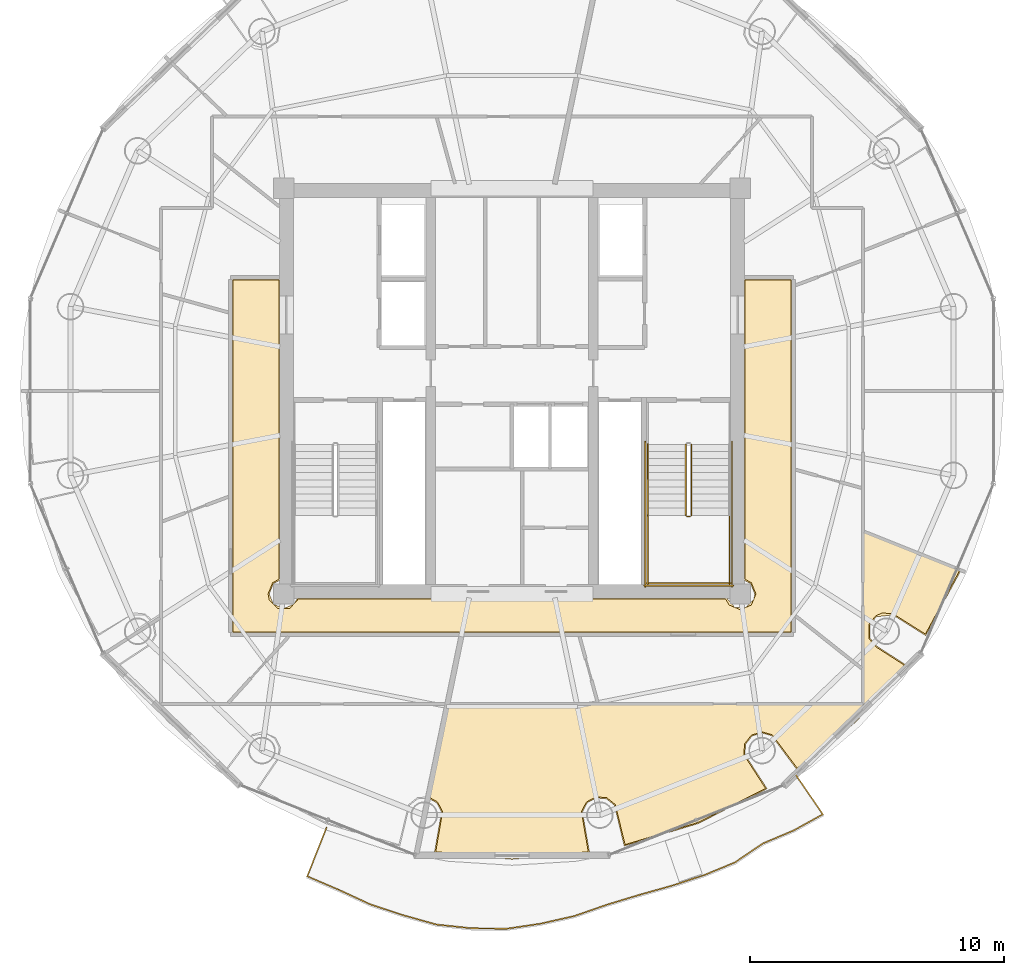
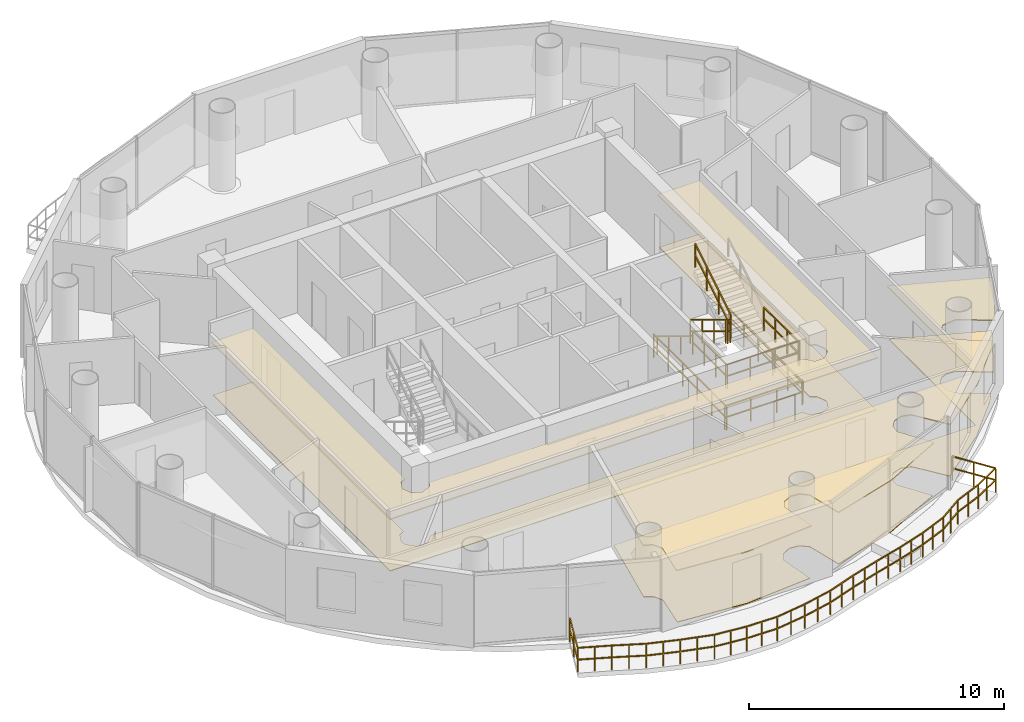
# One storey, part 19 of 21: 11 railings, 4 coverings.
"""IFC4 building model written with IfcOpenShell, lengths in metres."""

from ifc_helpers import new_model, si_unit, direction, frame, origin, origin_2d, place, context, subcontext, project, spatial, polyline, rectangle, outline, extrude, material, layer, layer_set, type_object, element, save


model = new_model("IFC4")

# Units and contexts
model_context = context("Model", 3, precision=1e-05, world=origin(), true_north=direction((-0.2419218956, 0.970295726276)))
body_context = subcontext(model_context, "Body", "Model", "MODEL_VIEW")
ifc_project = project(units=[si_unit("LENGTHUNIT", "METRE"), si_unit("AREAUNIT", "SQUARE_METRE"), si_unit("VOLUMEUNIT", "CUBIC_METRE"), si_unit("PLANEANGLEUNIT", "RADIAN"), si_unit("MASSUNIT", "GRAM", prefix="KILO")], contexts=[model_context])

# Site, building, storey
site_placement = place(None, origin())
site = spatial("IfcSite", under=ifc_project, at=site_placement, CompositionType="ELEMENT")
building_placement = place(site_placement, origin())
building = spatial("IfcBuilding", under=site, at=building_placement, Name="Cobrevalo Terracotta Tower", CompositionType="ELEMENT")
storey_placement = place(building_placement, frame((0.0, 0.0, 285.699951171875)))
storey = spatial("IfcBuildingStorey", under=building, at=storey_placement, Name="L75", CompositionType="ELEMENT", Elevation=285.699951171875)

# Railing
ifc_material_1 = material(Name="Laminated structural glass and stainless steel", Category="steel")
railing_type_1 = type_object("IfcRailingType", Name="Balcony lobe structural glass & terracotta-cap balustrade 1180 mm", PredefinedType="BALUSTRADE", material=ifc_material_1)
railing_1_placement = place(storey_placement, frame((30.68359375, 9.58251953125, 0.0)))
element("IfcRailing", 1, at=railing_1_placement, inside=storey, type_object=railing_type_1, Name="L75 spiralling balcony lobe balustrade 2", PredefinedType="BALUSTRADE", context=body_context, shape_type="SweptSolid", body=[
    extrude(rectangle(XDim=0.048095703125, YDim=0.048095703125, at=origin_2d()), frame((0.0, 0.0, 1.15576171875), z_axis=(-0.367422883807, -0.930053990075, 0.0), x_axis=(0.930053990075, -0.367422883807, 0.0)), (0.0, 0.0, 1.0), 2.059814453125),
    extrude(rectangle(XDim=0.048095703125, YDim=0.048095703125, at=origin_2d()), frame((0.0, 0.0, 0.58984375), z_axis=(-0.367422883807, -0.930053990075, 0.0), x_axis=(0.930053990075, -0.367422883807, 0.0)), (0.0, 0.0, 1.0), 2.059814453125),
    extrude(rectangle(XDim=0.048095703125, YDim=0.048095703125, at=origin_2d()), frame((-0.7568359375, -1.915771484375, 1.15576171875), z_axis=(0.919173243354, -0.39385346095, 0.0), x_axis=(0.39385346095, 0.919173243354, 0.0)), (0.0, 0.0, 1.0), 1.3427734375),
    extrude(rectangle(XDim=0.048095703125, YDim=0.048095703125, at=origin_2d()), frame((-0.7568359375, -1.915771484375, 0.58984375), z_axis=(0.919173243354, -0.39385346095, 0.0), x_axis=(0.39385346095, 0.919173243354, 0.0)), (0.0, 0.0, 1.0), 1.3427734375),
    extrude(rectangle(XDim=0.048095703125, YDim=0.048095703125, at=origin_2d()), frame((0.477294921875, -2.444580078125, 1.15576171875), z_axis=(0.907760069926, -0.419489756071, 0.0), x_axis=(0.419489756071, 0.907760069926, 0.0)), (0.0, 0.0, 1.0), 1.363037109375),
    extrude(rectangle(XDim=0.048095703125, YDim=0.048095703125, at=origin_2d()), frame((0.477294921875, -2.444580078125, 0.58984375), z_axis=(0.907760069926, -0.419489756071, 0.0), x_axis=(0.419489756071, 0.907760069926, 0.0)), (0.0, 0.0, 1.0), 1.363037109375),
    extrude(rectangle(XDim=0.048095703125, YDim=0.048095703125, at=origin_2d()), frame((1.714599609375, -3.016357421875, 1.15576171875), z_axis=(0.949377492889, -0.314137511285, 0.0), x_axis=(0.314137511285, 0.949377492889, 0.0)), (0.0, 0.0, 1.0), 1.366943359375),
    extrude(rectangle(XDim=0.048095703125, YDim=0.048095703125, at=origin_2d()), frame((1.714599609375, -3.016357421875, 0.58984375), z_axis=(0.949377492889, -0.314137511285, 0.0), x_axis=(0.314137511285, 0.949377492889, 0.0)), (0.0, 0.0, 1.0), 1.366943359375),
    extrude(rectangle(XDim=0.048095703125, YDim=0.048095703125, at=origin_2d()), frame((3.012451171875, -3.44580078125, 1.15576171875), z_axis=(0.962619191282, -0.270858436413, 0.0), x_axis=(0.270858436413, 0.962619191282, 0.0)), (0.0, 0.0, 1.0), 1.378173828125),
    extrude(rectangle(XDim=0.048095703125, YDim=0.048095703125, at=origin_2d()), frame((3.012451171875, -3.44580078125, 0.58984375), z_axis=(0.962619191282, -0.270858436413, 0.0), x_axis=(0.270858436413, 0.962619191282, 0.0)), (0.0, 0.0, 1.0), 1.378173828125),
    extrude(rectangle(XDim=0.048095703125, YDim=0.048095703125, at=origin_2d()), frame((4.339111328125, -3.819091796875, 1.15576171875), z_axis=(0.99444006684, -0.105304099935, 0.0), x_axis=(0.105304099935, 0.99444006684, 0.0)), (0.0, 0.0, 1.0), 1.374755859375),
    extrude(rectangle(XDim=0.048095703125, YDim=0.048095703125, at=origin_2d()), frame((4.339111328125, -3.819091796875, 0.58984375), z_axis=(0.99444006684, -0.105304099935, 0.0), x_axis=(0.105304099935, 0.99444006684, 0.0)), (0.0, 0.0, 1.0), 1.374755859375),
    extrude(rectangle(XDim=0.048095703125, YDim=0.048095703125, at=origin_2d()), frame((5.706298828125, -3.9638671875, 1.15576171875), z_axis=(0.999848698205, -0.017394846871, 0.0), x_axis=(0.017394846871, 0.999848698205, 0.0)), (0.0, 0.0, 1.0), 1.37548828125),
    extrude(rectangle(XDim=0.048095703125, YDim=0.048095703125, at=origin_2d()), frame((5.706298828125, -3.9638671875, 0.58984375), z_axis=(0.999848698205, -0.017394846871, 0.0), x_axis=(0.017394846871, 0.999848698205, 0.0)), (0.0, 0.0, 1.0), 1.37548828125),
    extrude(rectangle(XDim=0.048095703125, YDim=0.048095703125, at=origin_2d()), frame((7.08154296875, -3.98779296875, 1.15576171875), z_axis=(0.989007677475, 0.147864173803, 0.0), x_axis=(-0.147864173803, 0.989007677475, 0.0)), (0.0, 0.0, 1.0), 1.378662109375),
    extrude(rectangle(XDim=0.048095703125, YDim=0.048095703125, at=origin_2d()), frame((7.08154296875, -3.98779296875, 0.58984375), z_axis=(0.989007677475, 0.147864173803, 0.0), x_axis=(-0.147864173803, 0.989007677475, 0.0)), (0.0, 0.0, 1.0), 1.378662109375),
    extrude(rectangle(XDim=0.048095703125, YDim=0.048095703125, at=origin_2d()), frame((8.445068359375, -3.783935546875, 1.15576171875), z_axis=(0.975218456902, 0.221244121542, 0.0), x_axis=(-0.221244121542, 0.975218456902, 0.0)), (0.0, 0.0, 1.0), 1.37158203125),
    extrude(rectangle(XDim=0.048095703125, YDim=0.048095703125, at=origin_2d()), frame((8.445068359375, -3.783935546875, 0.58984375), z_axis=(0.975218456902, 0.221244121542, 0.0), x_axis=(-0.221244121542, 0.975218456902, 0.0)), (0.0, 0.0, 1.0), 1.37158203125),
    extrude(rectangle(XDim=0.048095703125, YDim=0.048095703125, at=origin_2d()), frame((9.78271484375, -3.48046875, 1.15576171875), z_axis=(0.944475100571, 0.328582994693, 0.0), x_axis=(-0.328582994693, 0.944475100571, 0.0)), (0.0, 0.0, 1.0), 1.366455078125),
    extrude(rectangle(XDim=0.048095703125, YDim=0.048095703125, at=origin_2d()), frame((9.78271484375, -3.48046875, 0.58984375), z_axis=(0.944475100571, 0.328582994693, 0.0), x_axis=(-0.328582994693, 0.944475100571, 0.0)), (0.0, 0.0, 1.0), 1.366455078125),
    extrude(rectangle(XDim=0.048095703125, YDim=0.048095703125, at=origin_2d()), frame((11.0732421875, -3.031494140625, 1.15576171875), z_axis=(0.95686607344, 0.290529374588, 0.0), x_axis=(-0.290529374588, 0.95686607344, 0.0)), (0.0, 0.0, 1.0), 1.3369140625),
    extrude(rectangle(XDim=0.048095703125, YDim=0.048095703125, at=origin_2d()), frame((11.0732421875, -3.031494140625, 0.58984375), z_axis=(0.95686607344, 0.290529374588, 0.0), x_axis=(-0.290529374588, 0.95686607344, 0.0)), (0.0, 0.0, 1.0), 1.3369140625),
    extrude(rectangle(XDim=0.048095703125, YDim=0.048095703125, at=origin_2d()), frame((12.3525390625, -2.64306640625, 1.15576171875), z_axis=(0.96277406986, 0.270307399836, 0.0), x_axis=(-0.270307399836, 0.96277406986, 0.0)), (0.0, 0.0, 1.0), 1.3232421875),
    extrude(rectangle(XDim=0.048095703125, YDim=0.048095703125, at=origin_2d()), frame((12.3525390625, -2.64306640625, 0.58984375), z_axis=(0.96277406986, 0.270307399836, 0.0), x_axis=(-0.270307399836, 0.96277406986, 0.0)), (0.0, 0.0, 1.0), 1.3232421875),
    extrude(rectangle(XDim=0.048095703125, YDim=0.048095703125, at=origin_2d()), frame((13.62646484375, -2.285400390625, 1.15576171875), z_axis=(0.950256370899, 0.311468825993, 0.0), x_axis=(-0.311468825993, 0.950256370899, 0.0)), (0.0, 0.0, 1.0), 1.32470703125),
    extrude(rectangle(XDim=0.048095703125, YDim=0.048095703125, at=origin_2d()), frame((13.62646484375, -2.285400390625, 0.58984375), z_axis=(0.950256370899, 0.311468825993, 0.0), x_axis=(-0.311468825993, 0.950256370899, 0.0)), (0.0, 0.0, 1.0), 1.32470703125),
    extrude(rectangle(XDim=0.048095703125, YDim=0.048095703125, at=origin_2d()), frame((14.88525390625, -1.872802734375, 1.15576171875), z_axis=(0.92437910862, 0.38147511524, 0.0), x_axis=(-0.38147511524, 0.92437910862, 0.0)), (0.0, 0.0, 1.0), 1.3203125),
    extrude(rectangle(XDim=0.048095703125, YDim=0.048095703125, at=origin_2d()), frame((14.88525390625, -1.872802734375, 0.58984375), z_axis=(0.92437910862, 0.38147511524, 0.0), x_axis=(-0.38147511524, 0.92437910862, 0.0)), (0.0, 0.0, 1.0), 1.3203125),
    extrude(rectangle(XDim=0.048095703125, YDim=0.048095703125, at=origin_2d()), frame((16.105712890625, -1.369140625, 1.15576171875), z_axis=(0.827247273799, 0.561838008675, 0.0), x_axis=(-0.561838008675, 0.827247273799, 0.0)), (0.0, 0.0, 1.0), 1.330078125),
    extrude(rectangle(XDim=0.048095703125, YDim=0.048095703125, at=origin_2d()), frame((16.105712890625, -1.369140625, 0.58984375), z_axis=(0.827247273799, 0.561838008675, 0.0), x_axis=(-0.561838008675, 0.827247273799, 0.0)), (0.0, 0.0, 1.0), 1.330078125),
    extrude(rectangle(XDim=0.048095703125, YDim=0.048095703125, at=origin_2d()), frame((17.2060546875, -0.621826171875, 1.15576171875), z_axis=(0.921478248094, 0.388429965746, 0.0), x_axis=(-0.388429965746, 0.921478248094, 0.0)), (0.0, 0.0, 1.0), 1.31689453125),
    extrude(rectangle(XDim=0.048095703125, YDim=0.048095703125, at=origin_2d()), frame((17.2060546875, -0.621826171875, 0.58984375), z_axis=(0.921478248094, 0.388429965746, 0.0), x_axis=(-0.388429965746, 0.921478248094, 0.0)), (0.0, 0.0, 1.0), 1.31689453125),
    extrude(rectangle(XDim=0.048095703125, YDim=0.048095703125, at=origin_2d()), frame((18.41943359375, -0.1103515625, 1.15576171875), z_axis=(0.875159072129, 0.483835300976, 0.0), x_axis=(-0.483835300976, 0.875159072129, 0.0)), (0.0, 0.0, 1.0), 1.319580078125),
    extrude(rectangle(XDim=0.048095703125, YDim=0.048095703125, at=origin_2d()), frame((18.41943359375, -0.1103515625, 0.58984375), z_axis=(0.875159072129, 0.483835300976, 0.0), x_axis=(-0.483835300976, 0.875159072129, 0.0)), (0.0, 0.0, 1.0), 1.319580078125),
    extrude(rectangle(XDim=0.048095703125, YDim=0.048095703125, at=origin_2d()), frame((19.57421875, 0.528076171875, 1.15576171875), z_axis=(-0.566320663632, 0.824184994976, 0.0), x_axis=(-0.824184994976, -0.566320663632, 0.0)), (0.0, 0.0, 1.0), 1.8916015625),
    extrude(rectangle(XDim=0.048095703125, YDim=0.048095703125, at=origin_2d()), frame((19.57421875, 0.528076171875, 0.58984375), z_axis=(-0.566320663632, 0.824184994976, 0.0), x_axis=(-0.824184994976, -0.566320663632, 0.0)), (0.0, 0.0, 1.0), 1.8916015625),
    extrude(rectangle(XDim=0.0419921875, YDim=0.0419921875, at=origin_2d()), origin(), (0.0, 0.0, 1.0), 1.1318359375),
    extrude(rectangle(XDim=0.0419921875, YDim=0.0419921875, at=origin_2d()), frame((-0.37841796875, -0.9580078125, 0.0)), (0.0, 0.0, 1.0), 1.1318359375),
    extrude(rectangle(XDim=0.0419921875, YDim=0.0419921875, at=origin_2d()), frame((-0.7568359375, -1.915771484375, 0.0)), (0.0, 0.0, 1.0), 1.1318359375),
    extrude(rectangle(XDim=0.0419921875, YDim=0.0419921875, at=origin_2d()), frame((-0.1396484375, -2.18017578125, 0.0)), (0.0, 0.0, 1.0), 1.1318359375),
    extrude(rectangle(XDim=0.0419921875, YDim=0.0419921875, at=origin_2d()), frame((0.477294921875, -2.444580078125, 0.0)), (0.0, 0.0, 1.0), 1.1318359375),
    extrude(rectangle(XDim=0.0419921875, YDim=0.0419921875, at=origin_2d()), frame((1.095947265625, -2.73046875, 0.0)), (0.0, 0.0, 1.0), 1.1318359375),
    extrude(rectangle(XDim=0.0419921875, YDim=0.0419921875, at=origin_2d()), frame((1.714599609375, -3.016357421875, 0.0)), (0.0, 0.0, 1.0), 1.1318359375),
    extrude(rectangle(XDim=0.0419921875, YDim=0.0419921875, at=origin_2d()), frame((2.363525390625, -3.23095703125, 0.0)), (0.0, 0.0, 1.0), 1.1318359375),
    extrude(rectangle(XDim=0.0419921875, YDim=0.0419921875, at=origin_2d()), frame((3.012451171875, -3.44580078125, 0.0)), (0.0, 0.0, 1.0), 1.1318359375),
    extrude(rectangle(XDim=0.0419921875, YDim=0.0419921875, at=origin_2d()), frame((3.67578125, -3.63232421875, 0.0)), (0.0, 0.0, 1.0), 1.1318359375),
    extrude(rectangle(XDim=0.0419921875, YDim=0.0419921875, at=origin_2d()), frame((4.339111328125, -3.819091796875, 0.0)), (0.0, 0.0, 1.0), 1.1318359375),
    extrude(rectangle(XDim=0.0419921875, YDim=0.0419921875, at=origin_2d()), frame((5.022705078125, -3.8916015625, 0.0)), (0.0, 0.0, 1.0), 1.1318359375),
    extrude(rectangle(XDim=0.0419921875, YDim=0.0419921875, at=origin_2d()), frame((5.706298828125, -3.9638671875, 0.0)), (0.0, 0.0, 1.0), 1.1318359375),
    extrude(rectangle(XDim=0.0419921875, YDim=0.0419921875, at=origin_2d()), frame((6.39404296875, -3.975830078125, 0.0)), (0.0, 0.0, 1.0), 1.1318359375),
    extrude(rectangle(XDim=0.0419921875, YDim=0.0419921875, at=origin_2d()), frame((7.08154296875, -3.98779296875, 0.0)), (0.0, 0.0, 1.0), 1.1318359375),
    extrude(rectangle(XDim=0.0419921875, YDim=0.0419921875, at=origin_2d()), frame((7.76318359375, -3.8857421875, 0.0)), (0.0, 0.0, 1.0), 1.1318359375),
    extrude(rectangle(XDim=0.0419921875, YDim=0.0419921875, at=origin_2d()), frame((8.445068359375, -3.783935546875, 0.0)), (0.0, 0.0, 1.0), 1.1318359375),
    extrude(rectangle(XDim=0.0419921875, YDim=0.0419921875, at=origin_2d()), frame((9.11376953125, -3.63232421875, 0.0)), (0.0, 0.0, 1.0), 1.1318359375),
    extrude(rectangle(XDim=0.0419921875, YDim=0.0419921875, at=origin_2d()), frame((9.78271484375, -3.48046875, 0.0)), (0.0, 0.0, 1.0), 1.1318359375),
    extrude(rectangle(XDim=0.0419921875, YDim=0.0419921875, at=origin_2d()), frame((10.427978515625, -3.255859375, 0.0)), (0.0, 0.0, 1.0), 1.1318359375),
    extrude(rectangle(XDim=0.0419921875, YDim=0.0419921875, at=origin_2d()), frame((11.0732421875, -3.031494140625, 0.0)), (0.0, 0.0, 1.0), 1.1318359375),
    extrude(rectangle(XDim=0.0419921875, YDim=0.0419921875, at=origin_2d()), frame((11.712890625, -2.83740234375, 0.0)), (0.0, 0.0, 1.0), 1.1318359375),
    extrude(rectangle(XDim=0.0419921875, YDim=0.0419921875, at=origin_2d()), frame((12.3525390625, -2.64306640625, 0.0)), (0.0, 0.0, 1.0), 1.1318359375),
    extrude(rectangle(XDim=0.0419921875, YDim=0.0419921875, at=origin_2d()), frame((12.989501953125, -2.46435546875, 0.0)), (0.0, 0.0, 1.0), 1.1318359375),
    extrude(rectangle(XDim=0.0419921875, YDim=0.0419921875, at=origin_2d()), frame((13.62646484375, -2.285400390625, 0.0)), (0.0, 0.0, 1.0), 1.1318359375),
    extrude(rectangle(XDim=0.0419921875, YDim=0.0419921875, at=origin_2d()), frame((14.255859375, -2.0791015625, 0.0)), (0.0, 0.0, 1.0), 1.1318359375),
    extrude(rectangle(XDim=0.0419921875, YDim=0.0419921875, at=origin_2d()), frame((14.88525390625, -1.872802734375, 0.0)), (0.0, 0.0, 1.0), 1.1318359375),
    extrude(rectangle(XDim=0.0419921875, YDim=0.0419921875, at=origin_2d()), frame((15.49560546875, -1.62109375, 0.0)), (0.0, 0.0, 1.0), 1.1318359375),
    extrude(rectangle(XDim=0.0419921875, YDim=0.0419921875, at=origin_2d()), frame((16.105712890625, -1.369140625, 0.0)), (0.0, 0.0, 1.0), 1.1318359375),
    extrude(rectangle(XDim=0.0419921875, YDim=0.0419921875, at=origin_2d()), frame((16.65576171875, -0.99560546875, 0.0)), (0.0, 0.0, 1.0), 1.1318359375),
    extrude(rectangle(XDim=0.0419921875, YDim=0.0419921875, at=origin_2d()), frame((17.2060546875, -0.621826171875, 0.0)), (0.0, 0.0, 1.0), 1.1318359375),
    extrude(rectangle(XDim=0.0419921875, YDim=0.0419921875, at=origin_2d()), frame((17.812744140625, -0.3662109375, 0.0)), (0.0, 0.0, 1.0), 1.1318359375),
    extrude(rectangle(XDim=0.0419921875, YDim=0.0419921875, at=origin_2d()), frame((18.41943359375, -0.1103515625, 0.0)), (0.0, 0.0, 1.0), 1.1318359375),
    extrude(rectangle(XDim=0.0419921875, YDim=0.0419921875, at=origin_2d()), frame((18.996826171875, 0.208984375, 0.0)), (0.0, 0.0, 1.0), 1.1318359375),
    extrude(rectangle(XDim=0.0419921875, YDim=0.0419921875, at=origin_2d()), frame((19.57421875, 0.528076171875, 0.0)), (0.0, 0.0, 1.0), 1.1318359375),
    extrude(rectangle(XDim=0.0419921875, YDim=0.0419921875, at=origin_2d()), frame((19.03857421875, 1.3076171875, 0.0)), (0.0, 0.0, 1.0), 1.1318359375),
    extrude(rectangle(XDim=0.0419921875, YDim=0.0419921875, at=origin_2d()), frame((18.5029296875, 2.087158203125, 0.0)), (0.0, 0.0, 1.0), 1.1318359375),
])

# Coverings
ifc_material_2 = material(Name="Engineered Brazilian hardwood flooring", Category="wood")
ifc_layer_1 = layer(ifc_material_2, 0.028076171875)
ifc_layer_set_1 = layer_set([ifc_layer_1], Name="Engineered Brazilian hardwood flooring")
covering_type_1 = type_object("IfcCoveringType", Name="Engineered Hardwood Suite Flooring 28", PredefinedType="FLOORING", material=ifc_layer_set_1)
covering_1_placement = place(storey_placement, origin())
element("IfcCovering", 2, at=covering_1_placement, inside=storey, type_object=covering_type_1, Name="Flat L75B Penthouse Living and Dining Room floor finish", PredefinedType="FLOORING", context=body_context, shape_type="SweptSolid", body=[
    extrude(outline(polyline([(54.300048828125, 17.217529296875), (53.029052734375, 18.016357421875), (52.600830078125, 18.050537109375), (52.336181640625, 17.935302734375), (52.06982421875, 17.59814453125), (52.080078125, 17.03173828125), (52.358154296875, 16.705322265625), (53.4560546875, 16.00048828125), (53.169189453125, 15.5869140625), (51.52001953125, 13.775390625), (49.243896484375, 11.931884765625), (48.260986328125, 13.246337890625), (47.847412109375, 13.363525390625), (47.438720703125, 13.23095703125), (47.17236328125, 12.893798828125), (47.138427734375, 12.465576171875), (47.99853515625, 11.130126953125), (45.317138671875, 9.7822265625), (42.45947265625, 8.9140625), (42.074951171875, 10.49365234375), (41.74072265625, 10.763671875), (41.312744140625, 10.80224609375), (40.935546875, 10.596923828125), (40.73583984375, 10.21630859375), (41.005859375, 8.635498046875), (38.0, 8.380126953125), (34.994140625, 8.635498046875), (35.26416015625, 10.21630859375), (35.064453125, 10.596923828125), (34.71728515625, 10.79296875), (35.470947265625, 14.445068359375), (51.85498046875, 14.445068359375), (51.85498046875, 21.24658203125), (55.65380859375, 19.72998046875), (54.300048828125, 17.217529296875)])), origin(), (0.0, 0.0, 1.0), 0.030029296875),
])
ifc_material_3 = material(Name="Honed terracotta and granite tile", Category="masonry")
ifc_layer_2 = layer(ifc_material_3, 0.034912109375)
ifc_layer_set_2 = layer_set([ifc_layer_2], Name="Honed terracotta and granite tile")
covering_type_2 = type_object("IfcCoveringType", Name="Honed Terracotta & Granite Interior Flooring 35", PredefinedType="FLOORING", material=ifc_layer_set_2)
covering_2_placement = place(storey_placement, origin())
element("IfcCovering", 3, at=covering_2_placement, inside=storey, type_object=covering_type_2, Name="L75 Residential Floor Corridor floor finish", PredefinedType="FLOORING", context=body_context, shape_type="SweptSolid", body=[
    extrude(outline(polyline([(26.9951171875, 31.179931640625), (28.804931640625, 31.179931640625), (28.804931640625, 19.381591796875), (28.561279296875, 19.23876953125), (28.379638671875, 18.800048828125), (28.4267578125, 18.5625), (28.7626953125, 18.226806640625), (29.2373046875, 18.226806640625), (29.58154296875, 18.60498046875), (46.41845703125, 18.60498046875), (46.561279296875, 18.361328125), (47.0, 18.1796875), (47.438720703125, 18.361328125), (47.620361328125, 18.800048828125), (47.438720703125, 19.23876953125), (47.195068359375, 19.381591796875), (47.195068359375, 31.179931640625), (49.0048828125, 31.179931640625), (49.0048828125, 17.294921875), (26.9951171875, 17.294921875), (26.9951171875, 31.179931640625)])), origin(), (0.0, 0.0, 1.0), 0.030029296875),
])
ifc_material_4 = material(Name="Acoustic perforated gypsum ceiling", Category="gypsum")
ifc_layer_3 = layer(ifc_material_4, 0.050048828125)
ifc_layer_set_3 = layer_set([ifc_layer_3], Name="Acoustic perforated gypsum ceiling")
covering_type_3 = type_object("IfcCoveringType", Name="Perforated Acoustic Gypsum Ceiling 50", PredefinedType="CEILING", material=ifc_layer_set_3)
covering_3_placement = place(storey_placement, frame((0.0, 0.0, 2.5)))
element("IfcCovering", 4, at=covering_3_placement, inside=storey, type_object=covering_type_3, Name="L75 Residential Floor Corridor acoustic ceiling", PredefinedType="CEILING", context=body_context, shape_type="SweptSolid", body=[
    extrude(outline(polyline([(26.949951171875, 31.22509765625), (28.85009765625, 31.22509765625), (28.85009765625, 19.3447265625), (28.59375, 19.206298828125), (28.425537109375, 18.800048828125), (28.59375, 18.393798828125), (29.0, 18.2255859375), (29.40625, 18.393798828125), (29.544677734375, 18.64990234375), (46.455322265625, 18.64990234375), (46.780029296875, 18.269287109375), (47.219970703125, 18.269287109375), (47.53076171875, 18.580078125), (47.574462890625, 18.800048828125), (47.40625, 19.206298828125), (47.14990234375, 19.3447265625), (47.14990234375, 31.22509765625), (49.050048828125, 31.22509765625), (49.050048828125, 17.25), (26.949951171875, 17.25), (26.949951171875, 31.22509765625)])), origin(), (0.0, 0.0, 1.0), 0.050048828125),
])
covering_4_placement = place(storey_placement, frame((0.0, 0.0, 2.5)))
element("IfcCovering", 5, at=covering_4_placement, inside=storey, type_object=covering_type_3, Name="Flat L75B Penthouse Living and Dining Room acoustic ceiling", PredefinedType="CEILING", context=body_context, shape_type="SweptSolid", body=[
    extrude(outline(polyline([(54.312255859375, 17.15625), (53.0126953125, 17.974365234375), (52.362060546875, 17.898193359375), (52.11181640625, 17.58154296875), (52.12158203125, 17.0498046875), (52.38427734375, 16.741943359375), (53.51953125, 16.01318359375), (53.204345703125, 15.558837890625), (51.551513671875, 13.742919921875), (49.231689453125, 11.87060546875), (48.236572265625, 13.208251953125), (47.848388671875, 13.318115234375), (47.464599609375, 13.19384765625), (47.214599609375, 12.877197265625), (47.1826171875, 12.47509765625), (48.062255859375, 11.11767578125), (45.333740234375, 9.740478515625), (42.424560546875, 8.861328125), (42.03759765625, 10.46826171875), (41.7236328125, 10.7216796875), (41.322021484375, 10.758056640625), (40.9677734375, 10.565185546875), (40.7802734375, 10.207763671875), (41.05908203125, 8.599853515625), (38.0, 8.3349609375), (34.94091796875, 8.599853515625), (35.2197265625, 10.207763671875), (35.0322265625, 10.565185546875), (34.6650390625, 10.76220703125), (35.43408203125, 14.489990234375), (51.81005859375, 14.489990234375), (51.81005859375, 21.31298828125), (55.71630859375, 19.75341796875), (54.312255859375, 17.15625)])), origin(), (0.0, 0.0, 1.0), 0.050048828125),
])

# Railings
ifc_material_5 = material(Name="Brushed stainless steel", Category="steel")
railing_type_2 = type_object("IfcRailingType", Name="Stainless Steel Stair Handrail 900", PredefinedType="HANDRAIL", material=ifc_material_5)
railing_2_placement = place(storey_placement, frame((43.35498046875, 24.699951171875, 0.17041015625)))
element("IfcRailing", 6, at=railing_2_placement, inside=storey, type_object=railing_type_2, Name="L75 ST-2 stair handrail 1", PredefinedType="HANDRAIL", context=body_context, shape_type="SweptSolid", body=[
    extrude(rectangle(XDim=0.048095703125, YDim=0.048095703125, at=origin_2d()), frame((0.0, 0.0, 0.8759765625), z_axis=(0.0, -0.854169791009, 0.51999420009), x_axis=(1.0, 0.0, 0.0)), (0.0, 0.0, 1.0), 3.278076171875),
    extrude(rectangle(XDim=0.0419921875, YDim=0.0419921875, at=origin_2d()), origin(), (0.0, 0.0, 1.0), 0.851806640625),
    extrude(rectangle(XDim=0.0419921875, YDim=0.0419921875, at=origin_2d()), frame((0.0, -0.933349609375, 0.568115234375)), (0.0, 0.0, 1.0), 0.851806640625),
    extrude(rectangle(XDim=0.0419921875, YDim=0.0419921875, at=origin_2d()), frame((0.0, -1.86669921875, 1.136474609375)), (0.0, 0.0, 1.0), 0.851806640625),
    extrude(rectangle(XDim=0.0419921875, YDim=0.0419921875, at=origin_2d()), frame((0.0, -2.800048828125, 1.70458984375)), (0.0, 0.0, 1.0), 0.851806640625),
])
ifc_material_6 = material(Name="Painted galvanized steel", Category="steel")
railing_type_3 = type_object("IfcRailingType", Name="Stair Well Guard Balustrade 1150", PredefinedType="GUARDRAIL", material=ifc_material_6)
railing_3_placement = place(storey_placement, frame((44.85498046875, 24.699951171875, 0.17041015625)))
element("IfcRailing", 7, at=railing_3_placement, inside=storey, type_object=railing_type_3, Name="L75 ST-2 stair guard 1", PredefinedType="GUARDRAIL", context=body_context, shape_type="SweptSolid", body=[
    extrude(rectangle(XDim=0.048095703125, YDim=0.048095703125, at=origin_2d()), frame((0.0, 0.0, 1.1259765625), z_axis=(0.0, -0.854169791009, 0.51999420009), x_axis=(1.0, 0.0, 0.0)), (0.0, 0.0, 1.0), 3.278076171875),
    extrude(rectangle(XDim=0.048095703125, YDim=0.048095703125, at=origin_2d()), frame((0.0, 0.0, 0.574951171875), z_axis=(0.0, -0.854169791009, 0.51999420009), x_axis=(1.0, 0.0, 0.0)), (0.0, 0.0, 1.0), 3.278076171875),
    extrude(rectangle(XDim=0.0419921875, YDim=0.0419921875, at=origin_2d()), origin(), (0.0, 0.0, 1.0), 1.101806640625),
    extrude(rectangle(XDim=0.0419921875, YDim=0.0419921875, at=origin_2d()), frame((0.0, -0.933349609375, 0.568115234375)), (0.0, 0.0, 1.0), 1.101806640625),
    extrude(rectangle(XDim=0.0419921875, YDim=0.0419921875, at=origin_2d()), frame((0.0, -1.86669921875, 1.136474609375)), (0.0, 0.0, 1.0), 1.101806640625),
    extrude(rectangle(XDim=0.0419921875, YDim=0.0419921875, at=origin_2d()), frame((0.0, -2.800048828125, 1.70458984375)), (0.0, 0.0, 1.0), 1.101806640625),
])
railing_4_placement = place(storey_placement, frame((44.905029296875, 21.85009765625, 1.875)))
element("IfcRailing", 8, at=railing_4_placement, inside=storey, type_object=railing_type_3, Name="L75 ST-2 stair guard 2", PredefinedType="GUARDRAIL", context=body_context, shape_type="SweptSolid", body=[
    extrude(rectangle(XDim=0.048095703125, YDim=0.048095703125, at=origin_2d()), frame((0.0, 0.0, 1.1259765625), z_axis=(1.0, 0.0, 0.0), x_axis=(0.0, 1.0, 0.0)), (0.0, 0.0, 1.0), 0.119873046875),
    extrude(rectangle(XDim=0.048095703125, YDim=0.048095703125, at=origin_2d()), frame((0.0, 0.0, 0.574951171875), z_axis=(1.0, 0.0, 0.0), x_axis=(0.0, 1.0, 0.0)), (0.0, 0.0, 1.0), 0.119873046875),
    extrude(rectangle(XDim=0.0419921875, YDim=0.0419921875, at=origin_2d()), origin(), (0.0, 0.0, 1.0), 1.101806640625),
    extrude(rectangle(XDim=0.0419921875, YDim=0.0419921875, at=origin_2d()), frame((0.119873046875, 0.0, 0.0)), (0.0, 0.0, 1.0), 1.101806640625),
])
for number, where, name in (
    (9, (43.35498046875, 21.89990234375, 1.875), "L75 ST-2 stair guard 3"),
    (10, (46.574951171875, 21.89990234375, 1.875), "L75 ST-2 stair guard 4"),
):
    element("IfcRailing", number, at=place(storey_placement, frame(where)), inside=storey, type_object=railing_type_3, Name=name, PredefinedType="GUARDRAIL", context=body_context, shape_type="SweptSolid", body=[
        extrude(rectangle(XDim=0.048095703125, YDim=0.048095703125, at=origin_2d()), frame((0.0, 0.0, 1.1259765625), z_axis=(0.0, -1.0, 0.0), x_axis=(1.0, 0.0, 0.0)), (0.0, 0.0, 1.0), 2.724853515625),
        extrude(rectangle(XDim=0.048095703125, YDim=0.048095703125, at=origin_2d()), frame((0.0, 0.0, 0.574951171875), z_axis=(0.0, -1.0, 0.0), x_axis=(1.0, 0.0, 0.0)), (0.0, 0.0, 1.0), 2.724853515625),
        extrude(rectangle(XDim=0.0419921875, YDim=0.0419921875, at=origin_2d()), origin(), (0.0, 0.0, 1.0), 1.101806640625),
        extrude(rectangle(XDim=0.0419921875, YDim=0.0419921875, at=origin_2d()), frame((0.0, -0.908203125, 0.0)), (0.0, 0.0, 1.0), 1.101806640625),
        extrude(rectangle(XDim=0.0419921875, YDim=0.0419921875, at=origin_2d()), frame((0.0, -1.816650390625, 0.0)), (0.0, 0.0, 1.0), 1.101806640625),
        extrude(rectangle(XDim=0.0419921875, YDim=0.0419921875, at=origin_2d()), frame((0.0, -2.724853515625, 0.0)), (0.0, 0.0, 1.0), 1.101806640625),
    ])
railing_5_placement = place(storey_placement, frame((43.304931640625, 19.22509765625, 1.875)))
element("IfcRailing", 11, at=railing_5_placement, inside=storey, type_object=railing_type_3, Name="L75 ST-2 stair guard 5", PredefinedType="GUARDRAIL", context=body_context, shape_type="SweptSolid", body=[
    extrude(rectangle(XDim=0.048095703125, YDim=0.048095703125, at=origin_2d()), frame((0.0, 0.0, 1.1259765625), z_axis=(1.0, 0.0, 0.0), x_axis=(0.0, 1.0, 0.0)), (0.0, 0.0, 1.0), 3.320068359375),
    extrude(rectangle(XDim=0.048095703125, YDim=0.048095703125, at=origin_2d()), frame((0.0, 0.0, 0.574951171875), z_axis=(1.0, 0.0, 0.0), x_axis=(0.0, 1.0, 0.0)), (0.0, 0.0, 1.0), 3.320068359375),
    extrude(rectangle(XDim=0.0419921875, YDim=0.0419921875, at=origin_2d()), origin(), (0.0, 0.0, 1.0), 1.101806640625),
    extrude(rectangle(XDim=0.0419921875, YDim=0.0419921875, at=origin_2d()), frame((1.106689453125, 0.0, 0.0)), (0.0, 0.0, 1.0), 1.101806640625),
    extrude(rectangle(XDim=0.0419921875, YDim=0.0419921875, at=origin_2d()), frame((2.21337890625, 0.0, 0.0)), (0.0, 0.0, 1.0), 1.101806640625),
    extrude(rectangle(XDim=0.0419921875, YDim=0.0419921875, at=origin_2d()), frame((3.320068359375, 0.0, 0.0)), (0.0, 0.0, 1.0), 1.101806640625),
])
railing_6_placement = place(storey_placement, frame((45.074951171875, 21.89990234375, 2.04541015625)))
element("IfcRailing", 12, at=railing_6_placement, inside=storey, type_object=railing_type_3, Name="L75 ST-2 stair guard 6", PredefinedType="GUARDRAIL", context=body_context, shape_type="SweptSolid", body=[
    extrude(rectangle(XDim=0.048095703125, YDim=0.048095703125, at=origin_2d()), frame((0.0, 0.0, 1.1259765625), z_axis=(0.0, 0.854169791009, 0.51999420009), x_axis=(-1.0, 0.0, 0.0)), (0.0, 0.0, 1.0), 3.278076171875),
    extrude(rectangle(XDim=0.048095703125, YDim=0.048095703125, at=origin_2d()), frame((0.0, 0.0, 0.574951171875), z_axis=(0.0, 0.854169791009, 0.51999420009), x_axis=(-1.0, 0.0, 0.0)), (0.0, 0.0, 1.0), 3.278076171875),
    extrude(rectangle(XDim=0.0419921875, YDim=0.0419921875, at=origin_2d()), origin(), (0.0, 0.0, 1.0), 1.101806640625),
    extrude(rectangle(XDim=0.0419921875, YDim=0.0419921875, at=origin_2d()), frame((0.0, 0.933349609375, 0.568115234375)), (0.0, 0.0, 1.0), 1.101806640625),
    extrude(rectangle(XDim=0.0419921875, YDim=0.0419921875, at=origin_2d()), frame((0.0, 1.86669921875, 1.136474609375)), (0.0, 0.0, 1.0), 1.101806640625),
    extrude(rectangle(XDim=0.0419921875, YDim=0.0419921875, at=origin_2d()), frame((0.0, 2.800048828125, 1.70458984375)), (0.0, 0.0, 1.0), 1.101806640625),
])
for number, where, name in (
    (13, (43.2548828125, 24.800048828125, 0.0), "L75 ST-2 stair guard 10"),
    (14, (46.675048828125, 24.800048828125, 0.0), "L75 ST-2 stair guard 11"),
):
    element("IfcRailing", number, at=place(storey_placement, frame(where)), inside=storey, type_object=railing_type_3, Name=name, PredefinedType="GUARDRAIL", context=body_context, shape_type="SweptSolid", body=[
        extrude(rectangle(XDim=0.048095703125, YDim=0.048095703125, at=origin_2d()), frame((0.0, 0.0, 1.1259765625), z_axis=(0.0, -1.0, 0.0), x_axis=(1.0, 0.0, 0.0)), (0.0, 0.0, 1.0), 5.72509765625),
        extrude(rectangle(XDim=0.048095703125, YDim=0.048095703125, at=origin_2d()), frame((0.0, 0.0, 0.574951171875), z_axis=(0.0, -1.0, 0.0), x_axis=(1.0, 0.0, 0.0)), (0.0, 0.0, 1.0), 5.72509765625),
        extrude(rectangle(XDim=0.0419921875, YDim=0.0419921875, at=origin_2d()), origin(), (0.0, 0.0, 1.0), 1.101806640625),
        extrude(rectangle(XDim=0.0419921875, YDim=0.0419921875, at=origin_2d()), frame((0.0, -1.14501953125, 0.0)), (0.0, 0.0, 1.0), 1.101806640625),
        extrude(rectangle(XDim=0.0419921875, YDim=0.0419921875, at=origin_2d()), frame((0.0, -2.2900390625, 0.0)), (0.0, 0.0, 1.0), 1.101806640625),
        extrude(rectangle(XDim=0.0419921875, YDim=0.0419921875, at=origin_2d()), frame((0.0, -3.43505859375, 0.0)), (0.0, 0.0, 1.0), 1.101806640625),
        extrude(rectangle(XDim=0.0419921875, YDim=0.0419921875, at=origin_2d()), frame((0.0, -4.580078125, 0.0)), (0.0, 0.0, 1.0), 1.101806640625),
        extrude(rectangle(XDim=0.0419921875, YDim=0.0419921875, at=origin_2d()), frame((0.0, -5.72509765625, 0.0)), (0.0, 0.0, 1.0), 1.101806640625),
    ])
railing_7_placement = place(storey_placement, frame((43.205078125, 19.125, 0.0)))
element("IfcRailing", 15, at=railing_7_placement, inside=storey, type_object=railing_type_3, Name="L75 ST-2 stair guard 12", PredefinedType="GUARDRAIL", context=body_context, shape_type="SweptSolid", body=[
    extrude(rectangle(XDim=0.048095703125, YDim=0.048095703125, at=origin_2d()), frame((0.0, 0.0, 1.1259765625), z_axis=(1.0, 0.0, 0.0), x_axis=(0.0, 1.0, 0.0)), (0.0, 0.0, 1.0), 3.52001953125),
    extrude(rectangle(XDim=0.048095703125, YDim=0.048095703125, at=origin_2d()), frame((0.0, 0.0, 0.574951171875), z_axis=(1.0, 0.0, 0.0), x_axis=(0.0, 1.0, 0.0)), (0.0, 0.0, 1.0), 3.52001953125),
    extrude(rectangle(XDim=0.0419921875, YDim=0.0419921875, at=origin_2d()), origin(), (0.0, 0.0, 1.0), 1.101806640625),
    extrude(rectangle(XDim=0.0419921875, YDim=0.0419921875, at=origin_2d()), frame((1.17333984375, 0.0, 0.0)), (0.0, 0.0, 1.0), 1.101806640625),
    extrude(rectangle(XDim=0.0419921875, YDim=0.0419921875, at=origin_2d()), frame((2.3466796875, 0.0, 0.0)), (0.0, 0.0, 1.0), 1.101806640625),
    extrude(rectangle(XDim=0.0419921875, YDim=0.0419921875, at=origin_2d()), frame((3.52001953125, 0.0, 0.0)), (0.0, 0.0, 1.0), 1.101806640625),
])

save(model, "model.ifc")
